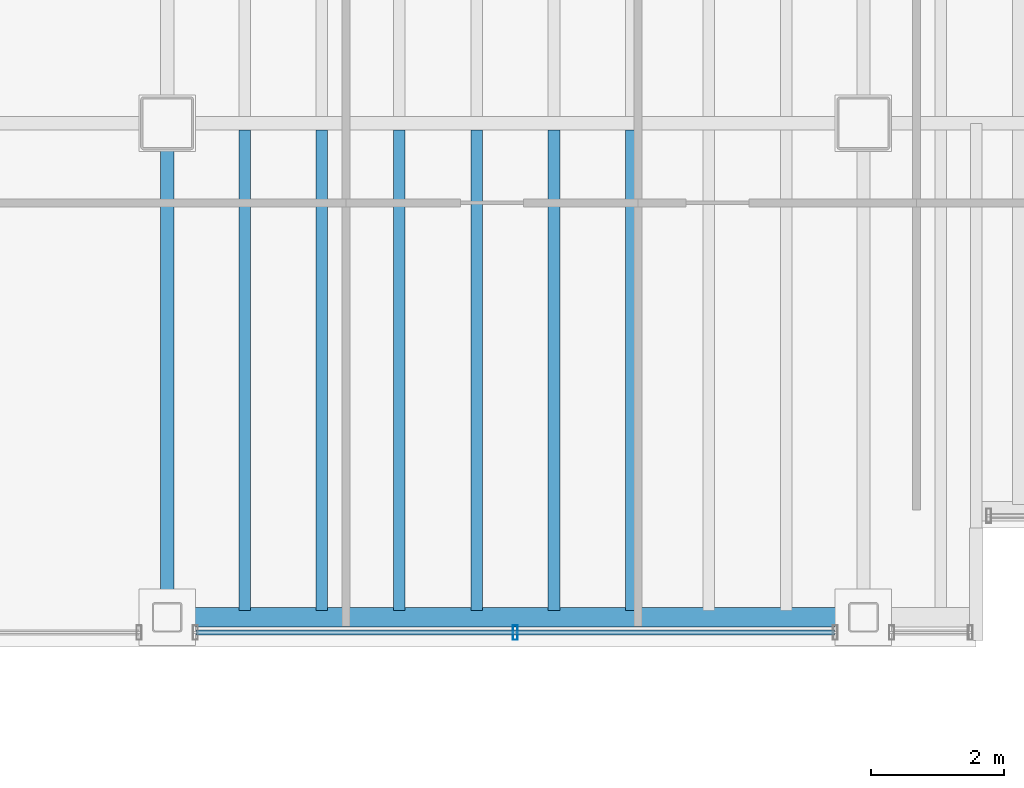
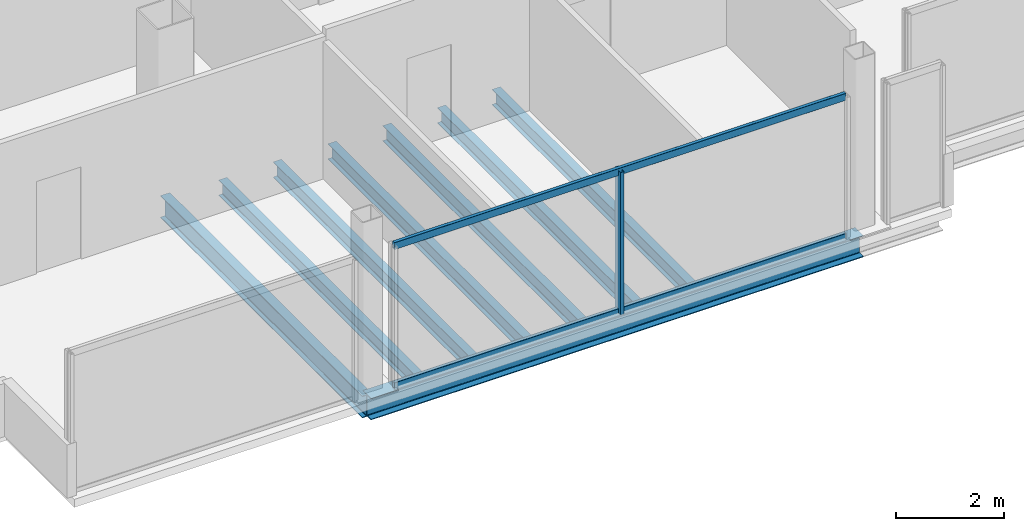
# One storey, part 3 of 17: 8 beams, 3 members, 1 element without a shape of its own.
"""IFC4 building model written with IfcOpenShell, lengths in metres."""

from ifc_helpers import new_model, si_unit, direction, frame, origin, origin_2d, place, context, subcontext, project, spatial, hollow_rectangle, i_section, extrude, material, material_profile, profile_set, type_object, element, aggregate, save


model = new_model("IFC4")

# Units and contexts
model_context = context("Model", 3, precision=1e-05, world=origin(), true_north=direction((0.0, 1.0)))
body_context = subcontext(model_context, "Body", "Model", "MODEL_VIEW")
ifc_project = project(units=[si_unit("LENGTHUNIT", "METRE"), si_unit("AREAUNIT", "SQUARE_METRE"), si_unit("VOLUMEUNIT", "CUBIC_METRE"), si_unit("PLANEANGLEUNIT", "RADIAN"), si_unit("MASSUNIT", "GRAM", prefix="KILO")], contexts=[model_context])

# Site, building, storey
site_placement = place(None, origin())
site = spatial("IfcSite", under=ifc_project, at=site_placement, CompositionType="ELEMENT")
building_placement = place(site_placement, origin())
building = spatial("IfcBuilding", under=site, at=building_placement, Name="Noeulbin Bourse Tower", CompositionType="ELEMENT")
storey_placement = place(building_placement, frame((0.0, 0.0, 250.10009765625)))
storey = spatial("IfcBuildingStorey", under=building, at=storey_placement, Name="L62", CompositionType="ELEMENT", Elevation=250.10009765625)

# Beams
ifc_material_1 = material(Name="Steel S355", Category="steel")
ifc_material_profile_1 = material_profile(ifc_material_1, i_section(OverallWidth=0.199951171875, OverallDepth=0.5, WebThickness=0.010009765625, FlangeThickness=0.01611328125, FilletRadius=0.02001953125, at=origin_2d()), Name="H-500x200x10x16", Category="LoadBearing")
ifc_profile_set_1 = profile_set([ifc_material_profile_1], Name="Steel S355")
beam_type_1 = type_object("IfcBeamType", Name="BM-GRD-500", PredefinedType="USERDEFINED", material=ifc_profile_set_1)
beam_1_placement = place(storey_placement, frame((13.5, 12.550048828125, -0.43017578125), z_axis=(0.0, 1.0, 0.0), x_axis=(-1.0, 0.0, 0.0)))
element("IfcBeam", 1, at=beam_1_placement, inside=storey, type_object=beam_type_1, Name="Tower Primary Girder NS L62-1.1", ObjectType="GIRDER", PredefinedType="USERDEFINED", context=body_context, shape_type="SweptSolid", body=[
    extrude(i_section(OverallWidth=0.199951171875, OverallDepth=0.5, WebThickness=0.010009765625, FlangeThickness=0.01611328125, FilletRadius=0.02001953125, at=origin_2d()), origin(), (0.0, 0.0, 1.0), 7.449951171875),
])
ifc_material_profile_2 = material_profile(ifc_material_1, i_section(OverallWidth=0.175048828125, OverallDepth=0.35009765625, WebThickness=0.007080078125, FlangeThickness=0.010986328125, FilletRadius=0.013916015625, at=origin_2d()), Name="H-350x175x7x11", Category="LoadBearing")
ifc_profile_set_2 = profile_set([ifc_material_profile_2], Name="Steel S355")
beam_type_2 = type_object("IfcBeamType", Name="BM-JST-350", PredefinedType="JOIST", material=ifc_profile_set_2)
for number, where, z_axis, x_axis, name in (
    (2, (14.666748046875, 12.64990234375, -0.35498046875), (0.0, 1.0, 0.0), (-1.0, 0.0, 0.0), "Tower Composite Joist L62-01"),
    (3, (15.833251953125, 12.64990234375, -0.35498046875), (0.0, 1.0, 0.0), (-1.0, 0.0, 0.0), "Tower Composite Joist L62-03"),
    (4, (17.0, 12.64990234375, -0.35498046875), (0.0, 1.0, 0.0), (-1.0, 0.0, 0.0), "Tower Composite Joist L62-05"),
    (5, (18.166748046875, 12.64990234375, -0.35498046875), (0.0, 1.0, 0.0), (-1.0, 0.0, 0.0), "Tower Composite Joist L62-07"),
    (6, (19.333251953125, 12.64990234375, -0.35498046875), (0.0, 1.0, 0.0), (-1.0, 0.0, 0.0), "Tower Composite Joist L62-09"),
    (7, (20.5, 12.64990234375, -0.35498046875), (0.0, 1.0, 0.0), (-1.0, 0.0, 0.0), "Tower Composite Joist L62-11"),
):
    element("IfcBeam", number, at=place(storey_placement, frame(where, z_axis=z_axis, x_axis=x_axis)), inside=storey, type_object=beam_type_2, Name=name, PredefinedType="JOIST", context=body_context, shape_type="SweptSolid", body=[
        extrude(i_section(OverallWidth=0.175048828125, OverallDepth=0.35009765625, WebThickness=0.007080078125, FlangeThickness=0.010986328125, FilletRadius=0.013916015625, at=origin_2d()), origin(), (0.0, 0.0, 1.0), 7.25),
    ])
ifc_material_profile_3 = material_profile(ifc_material_1, i_section(OverallWidth=0.300048828125, OverallDepth=0.488037109375, WebThickness=0.010986328125, FlangeThickness=0.01806640625, FilletRadius=0.02197265625, at=origin_2d()), Name="H-488x300x11x18", Category="LoadBearing")
ifc_profile_set_3 = profile_set([ifc_material_profile_3], Name="Steel S355")
beam_type_3 = type_object("IfcBeamType", Name="BM-SPN-488", PredefinedType="SPANDREL", material=ifc_profile_set_3)
beam_2_placement = place(storey_placement, frame((13.5, 12.550048828125, -0.424072265625), z_axis=(1.0, 0.0, 0.0), x_axis=(0.0, 1.0, 0.0)))
element("IfcBeam", 8, at=beam_2_placement, inside=storey, type_object=beam_type_3, Name="South Spandrel L62-1", PredefinedType="SPANDREL", context=body_context, shape_type="SweptSolid", body=[
    extrude(i_section(OverallWidth=0.300048828125, OverallDepth=0.488037109375, WebThickness=0.010986328125, FlangeThickness=0.01806640625, FilletRadius=0.02197265625, at=origin_2d()), origin(), (0.0, 0.0, 1.0), 10.5),
])

# Curtain wall, members
ifc_material_2 = material(Name="High-Selectivity Low-Iron Glazing", Category="glass")
curtain_wall_type = type_object("IfcCurtainWallType", Name="CW-SYS-4", PredefinedType="NOTDEFINED", material=ifc_material_2)
curtain_wall_placement = place(storey_placement, origin())
curtain_wall = element("IfcCurtainWall", 9, at=curtain_wall_placement, inside=storey, type_object=curtain_wall_type, Name="Unitised Curtain Wall CW-L62-S1-S2", PredefinedType="NOTDEFINED")
ifc_material_3 = material(Name="Anodised Aluminium 6063-T6", Category="aluminium")
ifc_material_profile_4 = material_profile(ifc_material_3, hollow_rectangle(XDim=0.074951171875, YDim=0.219970703125, WallThickness=0.0048828125, InnerFilletRadius=0.00244140625, OuterFilletRadius=0.0048828125, at=origin_2d()), Name="ALU-MULL-75x220x5", Category="LoadBearing")
ifc_profile_set_4 = profile_set([ifc_material_profile_4], Name="Anodised Aluminium 6063-T6")
member_type_1 = type_object("IfcMemberType", Name="CW-SYS-4-MUL", PredefinedType="MULLION", material=ifc_profile_set_4)
member_1_placement = place(storey_placement, frame((18.75, 12.320068359375, -0.02001953125), z_axis=(0.0, 0.0, 1.0), x_axis=(1.0, 0.0, 0.0)))
member_1 = element("IfcMember", 10, at=member_1_placement, type_object=member_type_1, Name="Curtain Wall Mullion CW-L62-S1-S2-M01", PredefinedType="MULLION", context=body_context, shape_type="SweptSolid", body=[
    extrude(hollow_rectangle(XDim=0.074951171875, YDim=0.219970703125, WallThickness=0.0048828125, InnerFilletRadius=0.00244140625, OuterFilletRadius=0.0048828125, at=origin_2d()), origin(), (0.0, 0.0, 1.0), 3.219970703125),
])
ifc_material_profile_5 = material_profile(ifc_material_3, hollow_rectangle(XDim=0.074951171875, YDim=0.159912109375, WallThickness=0.0048828125, InnerFilletRadius=0.00244140625, OuterFilletRadius=0.0048828125, at=origin_2d()), Name="ALU-TRAN-75x160x5", Category="LoadBearing")
ifc_profile_set_5 = profile_set([ifc_material_profile_5], Name="Anodised Aluminium 6063-T6")
member_type_2 = type_object("IfcMemberType", Name="CW-SYS-4-TRN", PredefinedType="USERDEFINED", material=ifc_profile_set_5)
member_2_placement = place(storey_placement, frame((13.93505859375, 12.320068359375, 0.010009765625), z_axis=(1.0, 0.0, 0.0), x_axis=(0.0, 1.0, 0.0)))
member_2 = element("IfcMember", 11, at=member_2_placement, type_object=member_type_2, Name="Curtain Wall Transom CW-L62-S1-S2-T00", ObjectType="TRANSOM", PredefinedType="USERDEFINED", context=body_context, shape_type="SweptSolid", body=[
    extrude(hollow_rectangle(XDim=0.074951171875, YDim=0.159912109375, WallThickness=0.0048828125, InnerFilletRadius=0.00244140625, OuterFilletRadius=0.0048828125, at=origin_2d()), origin(), (0.0, 0.0, 1.0), 9.6298828125),
])
member_3_placement = place(storey_placement, frame((13.93505859375, 12.320068359375, 3.169921875), z_axis=(1.0, 0.0, 0.0), x_axis=(0.0, 1.0, 0.0)))
member_3 = element("IfcMember", 12, at=member_3_placement, type_object=member_type_2, Name="Curtain Wall Transom CW-L62-S1-S2-T01", ObjectType="TRANSOM", PredefinedType="USERDEFINED", context=body_context, shape_type="SweptSolid", body=[
    extrude(hollow_rectangle(XDim=0.074951171875, YDim=0.159912109375, WallThickness=0.0048828125, InnerFilletRadius=0.00244140625, OuterFilletRadius=0.0048828125, at=origin_2d()), origin(), (0.0, 0.0, 1.0), 9.6298828125),
])
aggregate(curtain_wall, [member_1, member_2, member_3])

save(model, "model.ifc")
